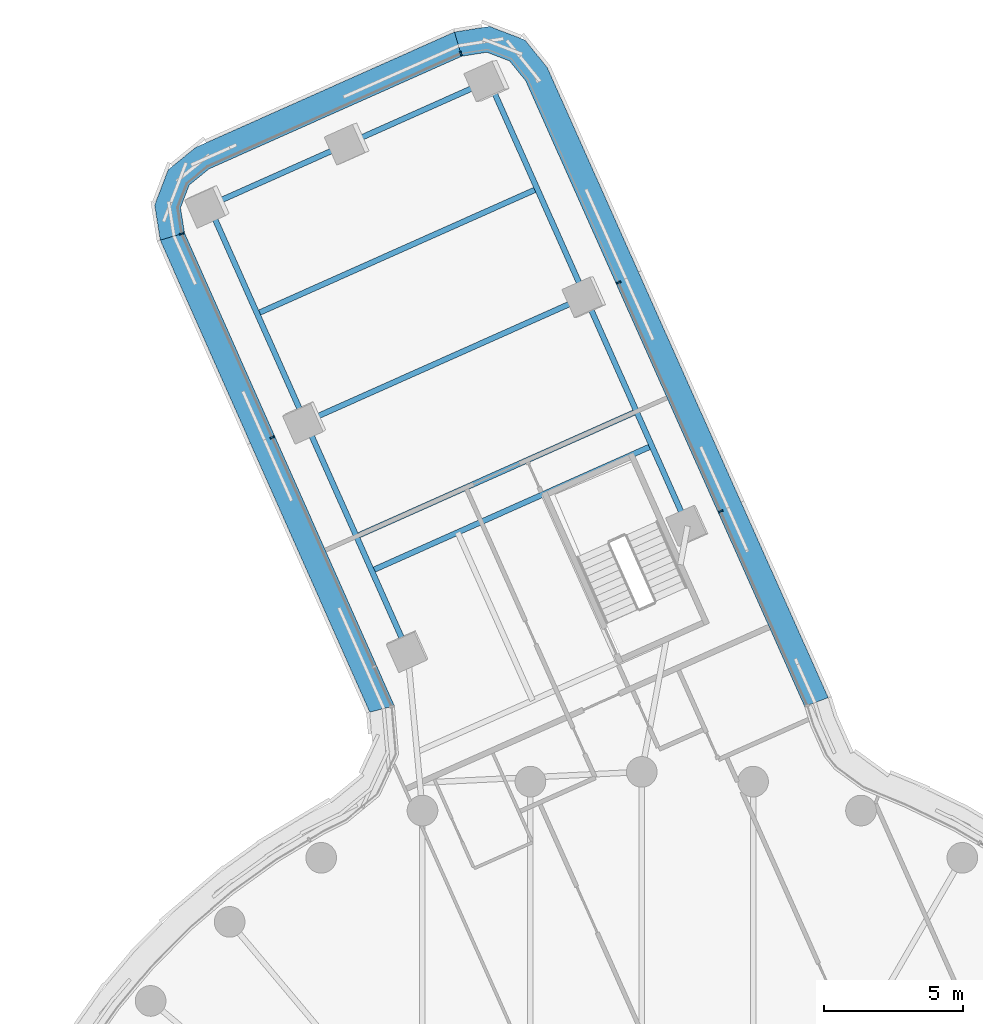
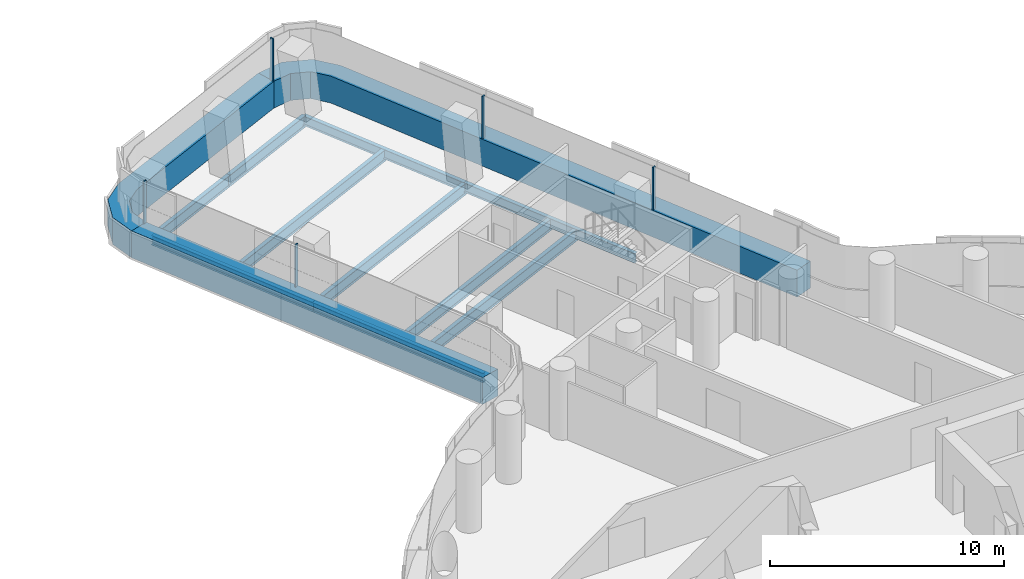
# One storey, part 15 of 35: 10 beams, 8 members, 3 elements without a shape of their own.
"""IFC4 building model written with IfcOpenShell, lengths in metres."""

from ifc_helpers import new_model, si_unit, direction, frame, origin, origin_2d, place, context, subcontext, project, spatial, polyline, rectangle, i_section, outline, extrude, material, layer, layer_set, material_profile, profile_set, type_object, element, aggregate, save


model = new_model("IFC4")

# Units and contexts
model_context = context("Model", 3, precision=1e-05, world=origin(), true_north=direction((0.0, 1.0)))
body_context = subcontext(model_context, "Body", "Model", "MODEL_VIEW")
ifc_project = project(units=[si_unit("LENGTHUNIT", "METRE"), si_unit("AREAUNIT", "SQUARE_METRE"), si_unit("VOLUMEUNIT", "CUBIC_METRE"), si_unit("PLANEANGLEUNIT", "RADIAN"), si_unit("MASSUNIT", "GRAM", prefix="KILO")], contexts=[model_context])

# Site, building, storey
site_placement = place(None, origin())
site = spatial("IfcSite", under=ifc_project, at=site_placement, CompositionType="ELEMENT")
building_placement = place(site_placement, origin())
building = spatial("IfcBuilding", under=site, at=building_placement, Name="Tamarind Cross Interchange Tower", CompositionType="ELEMENT")
storey_placement = place(building_placement, frame((0.0, 0.0, 121.0)))
storey = spatial("IfcBuildingStorey", under=building, at=storey_placement, Name="L29", CompositionType="ELEMENT", Elevation=121.0)

# Beams
ifc_material_1 = material(Name="Steel Q355B", Category="steel")
ifc_material_profile_1 = material_profile(ifc_material_1, i_section(OverallWidth=0.198974609375, OverallDepth=0.49609375, WebThickness=0.009033203125, FlangeThickness=0.013916015625, FilletRadius=0.012939453125, at=origin_2d()), Name="HN 496x199x9x14")
ifc_profile_set_1 = profile_set([ifc_material_profile_1], Name="Steel Q355B")
beam_type_1 = type_object("IfcBeamType", Name="Composite beam HN 496x199x9x14 Q355B", PredefinedType="BEAM", material=ifc_profile_set_1)
beam_1_placement = place(storey_placement, frame((-5.4794921875, 47.7958984375, -0.387939453125), z_axis=(0.407202576007, -0.913337868531, 0.0), x_axis=(0.913337868531, 0.407202576007, 0.0)))
element("IfcBeam", 1, at=beam_1_placement, inside=storey, type_object=beam_type_1, Name="Beam N-edgeem5", PredefinedType="BEAM", context=body_context, shape_type="SweptSolid", body=[
    extrude(i_section(OverallWidth=0.198974609375, OverallDepth=0.49609375, WebThickness=0.009033203125, FlangeThickness=0.013916015625, FilletRadius=0.012939453125, at=origin_2d()), origin(), (0.0, 0.0, 1.0), 8.491455078125),
])
beam_2_placement = place(storey_placement, frame((-2.021728515625, 40.040283203125, -0.387939453125), z_axis=(0.407225482374, -0.913327655612, 0.0), x_axis=(0.913327655612, 0.407225482374, 0.0)))
element("IfcBeam", 2, at=beam_2_placement, inside=storey, type_object=beam_type_1, Name="Beam N-edgeem6", PredefinedType="BEAM", context=body_context, shape_type="SweptSolid", body=[
    extrude(i_section(OverallWidth=0.198974609375, OverallDepth=0.49609375, WebThickness=0.009033203125, FlangeThickness=0.013916015625, FilletRadius=0.012939453125, at=origin_2d()), origin(), (0.0, 0.0, 1.0), 9.0),
])
beam_3_placement = place(storey_placement, frame((-15.526123046875, 43.31640625, -0.387939453125), z_axis=(0.407202576007, -0.913337868531, 0.0), x_axis=(0.913337868531, 0.407202576007, 0.0)))
element("IfcBeam", 3, at=beam_3_placement, inside=storey, type_object=beam_type_1, Name="Beam N-edgeep2", PredefinedType="BEAM", context=body_context, shape_type="SweptSolid", body=[
    extrude(i_section(OverallWidth=0.198974609375, OverallDepth=0.49609375, WebThickness=0.009033203125, FlangeThickness=0.013916015625, FilletRadius=0.012939453125, at=origin_2d()), origin(), (0.0, 0.0, 1.0), 8.491455078125),
])
beam_4_placement = place(storey_placement, frame((-12.068359375, 35.560791015625, -0.387939453125), z_axis=(0.407225482374, -0.913327655612, 0.0), x_axis=(0.913327655612, 0.407225482374, 0.0)))
element("IfcBeam", 4, at=beam_4_placement, inside=storey, type_object=beam_type_1, Name="Beam N-edgeep3", PredefinedType="BEAM", context=body_context, shape_type="SweptSolid", body=[
    extrude(i_section(OverallWidth=0.198974609375, OverallDepth=0.49609375, WebThickness=0.009033203125, FlangeThickness=0.013916015625, FilletRadius=0.012939453125, at=origin_2d()), origin(), (0.0, 0.0, 1.0), 9.0),
])
ifc_material_profile_2 = material_profile(ifc_material_1, i_section(OverallWidth=0.199951171875, OverallDepth=0.60009765625, WebThickness=0.010986328125, FlangeThickness=0.01708984375, FilletRadius=0.012939453125, at=origin_2d()), Name="HN 600x200x11x17")
ifc_profile_set_2 = profile_set([ifc_material_profile_2], Name="Steel Q355B")
beam_type_2 = type_object("IfcBeamType", Name="Composite beam HN 600x200x11x17 Q355B", PredefinedType="BEAM", material=ifc_profile_set_2)
beam_5_placement = place(storey_placement, frame((-5.4794921875, 47.7958984375, -0.43994140625), z_axis=(-0.913331336079, -0.407217227701, 0.0), x_axis=(0.407217227701, -0.913331336079, 0.0)))
element("IfcBeam", 5, at=beam_5_placement, inside=storey, type_object=beam_type_2, Name="Beam N-tip0", PredefinedType="BEAM", context=body_context, shape_type="SweptSolid", body=[
    extrude(i_section(OverallWidth=0.199951171875, OverallDepth=0.60009765625, WebThickness=0.010986328125, FlangeThickness=0.01708984375, FilletRadius=0.012939453125, at=origin_2d()), origin(), (0.0, 0.0, 1.0), 5.500244140625),
])
beam_6_placement = place(storey_placement, frame((-10.5029296875, 45.55615234375, -0.43994140625), z_axis=(-0.913323974921, -0.407233737348, 0.0), x_axis=(0.407233737348, -0.913323974921, 0.0)))
element("IfcBeam", 6, at=beam_6_placement, inside=storey, type_object=beam_type_2, Name="Beam N-tip1", PredefinedType="BEAM", context=body_context, shape_type="SweptSolid", body=[
    extrude(i_section(OverallWidth=0.199951171875, OverallDepth=0.60009765625, WebThickness=0.010986328125, FlangeThickness=0.01708984375, FilletRadius=0.012939453125, at=origin_2d()), origin(), (0.0, 0.0, 1.0), 5.5),
])
for number, where, z_axis, x_axis, name in (
    (7, (0.360595703125, 34.697265625, -0.43994140625), (-0.913335910322, -0.407206968158, 0.0), (0.407206968158, -0.913335910322, 0.0), "Beam N-x334"),
    (8, (-2.021728515625, 40.040283203125, -0.43994140625), (-0.913327655612, -0.407225482374, 0.0), (0.407225482374, -0.913327655612, 0.0), "Beam N-x393"),
    (9, (-0.189208984375, 35.930419921875, -0.43994140625), (-0.913327655612, -0.407225482374, 0.0), (0.407225482374, -0.913327655612, 0.0), "Beam N-x348"),
    (10, (-3.75048828125, 43.91796875, -0.43994140625), (-0.913335910322, -0.407206968158, 0.0), (0.407206968158, -0.913335910322, 0.0), "Beam N-x435"),
):
    element("IfcBeam", number, at=place(storey_placement, frame(where, z_axis=z_axis, x_axis=x_axis)), inside=storey, type_object=beam_type_2, Name=name, PredefinedType="BEAM", context=body_context, shape_type="SweptSolid", body=[
        extrude(i_section(OverallWidth=0.199951171875, OverallDepth=0.60009765625, WebThickness=0.010986328125, FlangeThickness=0.01708984375, FilletRadius=0.012939453125, at=origin_2d()), origin(), (0.0, 0.0, 1.0), 11.0),
    ])

# Curtain wall, member
ifc_material_2 = material(Name="Aluminium 6063-T6", Category="aluminium")
ifc_layer = layer(ifc_material_2, 0.159912109375)
ifc_layer_set = layer_set([ifc_layer], Name="Aluminium 6063-T6")
curtain_wall_type = type_object("IfcCurtainWallType", Name="Office curtain wall, 9.0 m bays", PredefinedType="NOTDEFINED", material=ifc_layer_set)
curtain_wall_1_placement = place(storey_placement, origin())
curtain_wall_1 = element("IfcCurtainWall", 11, at=curtain_wall_1_placement, inside=storey, type_object=curtain_wall_type, Name="CWS-L29-11", PredefinedType="NOTDEFINED")
ifc_material_3 = material(Name="Aluminium and insulated spandrel panel", Category="aluminium")
member_type_1 = type_object("IfcMemberType", Name="Floor-edge blade transom", PredefinedType="USERDEFINED", material=ifc_material_3)
member_1_placement = place(storey_placement, origin())
member_1 = element("IfcMember", 12, at=member_1_placement, type_object=member_type_1, Name="CWT-L29-11", ObjectType="TRANSOM", PredefinedType="USERDEFINED", context=body_context, shape_type="SweptSolid", body=[
    extrude(outline(polyline([(5.843994140625, 25.34619140625), (-4.163818359375, 47.791748046875), (-4.740234375, 48.5029296875), (-5.556884765625, 48.81591796875), (-6.4609375, 48.672119140625), (-6.71923828125, 49.54248046875), (-5.4599609375, 49.742431640625), (-4.193115234375, 49.257080078125), (-3.39013671875, 48.2666015625), (6.68798828125, 25.6630859375), (5.843994140625, 25.34619140625)])), origin(), (0.0, 0.0, 1.0), 1.39990234375),
])

curtain_wall_2_placement = place(storey_placement, origin())
curtain_wall_2 = element("IfcCurtainWall", 13, at=curtain_wall_2_placement, inside=storey, type_object=curtain_wall_type, Name="CWS-L29-12", PredefinedType="NOTDEFINED")
member_2_placement = place(storey_placement, origin())
member_2 = element("IfcMember", 14, at=member_2_placement, type_object=member_type_1, Name="CWT-L29-12", ObjectType="TRANSOM", PredefinedType="USERDEFINED", context=body_context, shape_type="SweptSolid", body=[
    extrude(outline(polyline([(-6.4609375, 48.672119140625), (-15.52197265625, 44.632080078125), (-16.233154296875, 44.0556640625), (-16.546142578125, 43.239013671875), (-16.40234375, 42.334716796875), (-17.272705078125, 42.0771484375), (-17.472900390625, 43.3359375), (-16.9873046875, 44.60302734375), (-15.996826171875, 45.40576171875), (-6.71923828125, 49.54248046875), (-6.4609375, 48.672119140625)])), origin(), (0.0, 0.0, 1.0), 1.39990234375),
])

curtain_wall_3_placement = place(storey_placement, origin())
curtain_wall_3 = element("IfcCurtainWall", 15, at=curtain_wall_3_placement, inside=storey, type_object=curtain_wall_type, Name="CWS-L29-13", PredefinedType="NOTDEFINED")
member_3_placement = place(storey_placement, origin())
member_3 = element("IfcMember", 16, at=member_3_placement, type_object=member_type_1, Name="CWT-L29-13", ObjectType="TRANSOM", PredefinedType="USERDEFINED", context=body_context, shape_type="SweptSolid", body=[
    extrude(outline(polyline([(-16.40234375, 42.334716796875), (-8.8740234375, 25.369873046875), (-9.7578125, 25.142822265625), (-17.272705078125, 42.0771484375), (-16.40234375, 42.334716796875)])), origin(), (0.0, 0.0, 1.0), 1.39990234375),
])

# Member
ifc_material_profile_3 = material_profile(ifc_material_2, rectangle(XDim=0.06005859375, YDim=0.159912109375, at=origin_2d()), Name="Mullion CW1")
ifc_profile_set_3 = profile_set([ifc_material_profile_3], Name="Aluminium 6063-T6")
member_type_2 = type_object("IfcMemberType", Name="Mullion CW1", PredefinedType="MULLION", material=ifc_profile_set_3)
member_4_placement = place(storey_placement, frame((2.83056640625, 32.349853515625, 1.39990234375), z_axis=(0.0, 0.0, 1.0), x_axis=(-0.407221294835, 0.913329522698, 0.0)))
member_4 = element("IfcMember", 17, at=member_4_placement, type_object=member_type_2, Name="CWM-L29-11-01", PredefinedType="MULLION", context=body_context, shape_type="SweptSolid", body=[
    extrude(rectangle(XDim=0.06005859375, YDim=0.159912109375, at=origin_2d()), origin(), (0.0, 0.0, 1.0), 2.210205078125),
])

member_5_placement = place(storey_placement, frame((-0.82861328125, 40.556884765625, 1.39990234375), z_axis=(0.0, 0.0, 1.0), x_axis=(-0.407221294835, 0.913329522698, 0.0)))
member_5 = element("IfcMember", 18, at=member_5_placement, type_object=member_type_2, Name="CWM-L29-11-02", PredefinedType="MULLION", context=body_context, shape_type="SweptSolid", body=[
    extrude(rectangle(XDim=0.06005859375, YDim=0.159912109375, at=origin_2d()), origin(), (0.0, 0.0, 1.0), 2.210205078125),
])

aggregate(curtain_wall_1, [member_4, member_5, member_1])

member_6_placement = place(storey_placement, frame((-6.48974609375, 48.768798828125, 1.39990234375), z_axis=(0.0, 0.0, 1.0), x_axis=(-0.958668907026, -0.284524035366, 0.0)))
member_6 = element("IfcMember", 19, at=member_6_placement, type_object=member_type_2, Name="CWM-L29-12-00", PredefinedType="MULLION", context=body_context, shape_type="SweptSolid", body=[
    extrude(rectangle(XDim=0.06005859375, YDim=0.159912109375, at=origin_2d()), origin(), (0.0, 0.0, 1.0), 2.210205078125),
])

aggregate(curtain_wall_2, [member_6, member_2])

member_7_placement = place(storey_placement, frame((-16.4990234375, 42.30615234375, 1.39990234375), z_axis=(0.0, 0.0, 1.0), x_axis=(0.283685771926, -0.958917297167, 0.0)))
member_7 = element("IfcMember", 20, at=member_7_placement, type_object=member_type_2, Name="CWM-L29-13-00", PredefinedType="MULLION", context=body_context, shape_type="SweptSolid", body=[
    extrude(rectangle(XDim=0.06005859375, YDim=0.159912109375, at=origin_2d()), origin(), (0.0, 0.0, 1.0), 2.210205078125),
])

member_8_placement = place(storey_placement, frame((-13.25634765625, 34.998779296875, 1.39990234375), z_axis=(0.0, 0.0, 1.0), x_axis=(0.40562364305, -0.914040185221, 0.0)))
member_8 = element("IfcMember", 21, at=member_8_placement, type_object=member_type_2, Name="CWM-L29-13-01", PredefinedType="MULLION", context=body_context, shape_type="SweptSolid", body=[
    extrude(rectangle(XDim=0.06005859375, YDim=0.159912109375, at=origin_2d()), origin(), (0.0, 0.0, 1.0), 2.210205078125),
])

aggregate(curtain_wall_3, [member_7, member_8, member_3])

save(model, "model.ifc")
